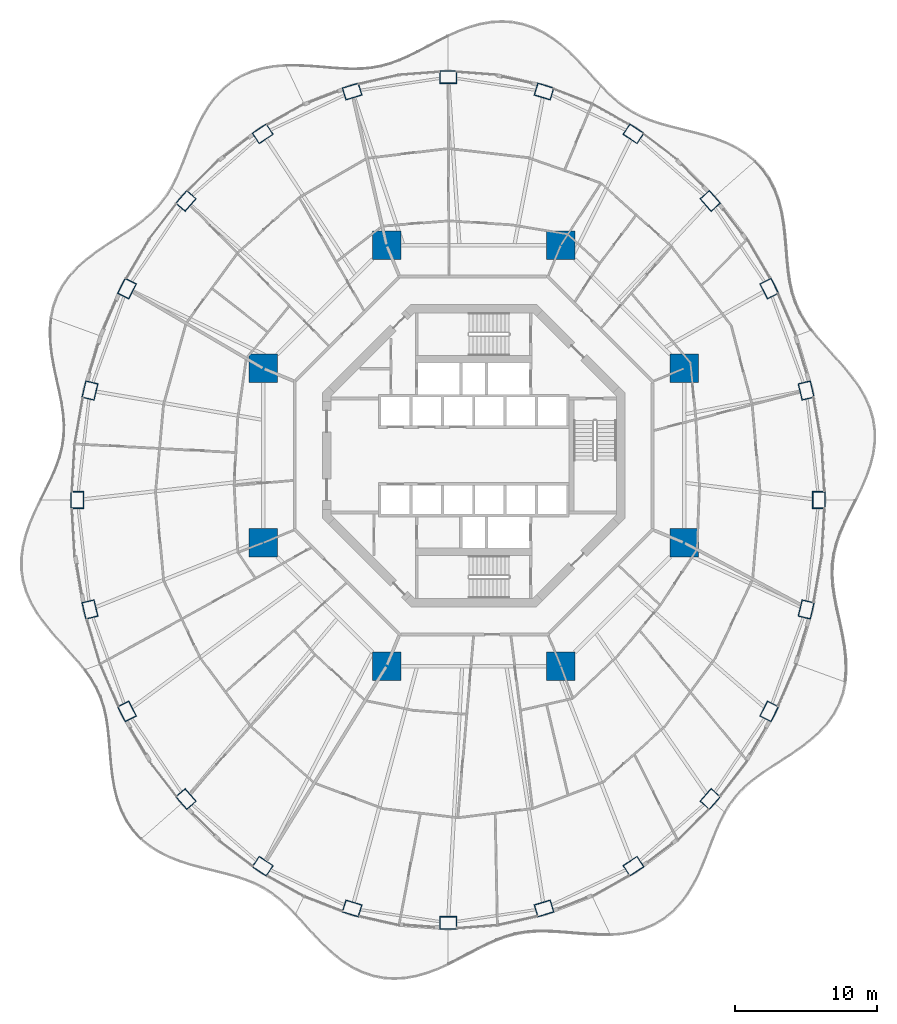
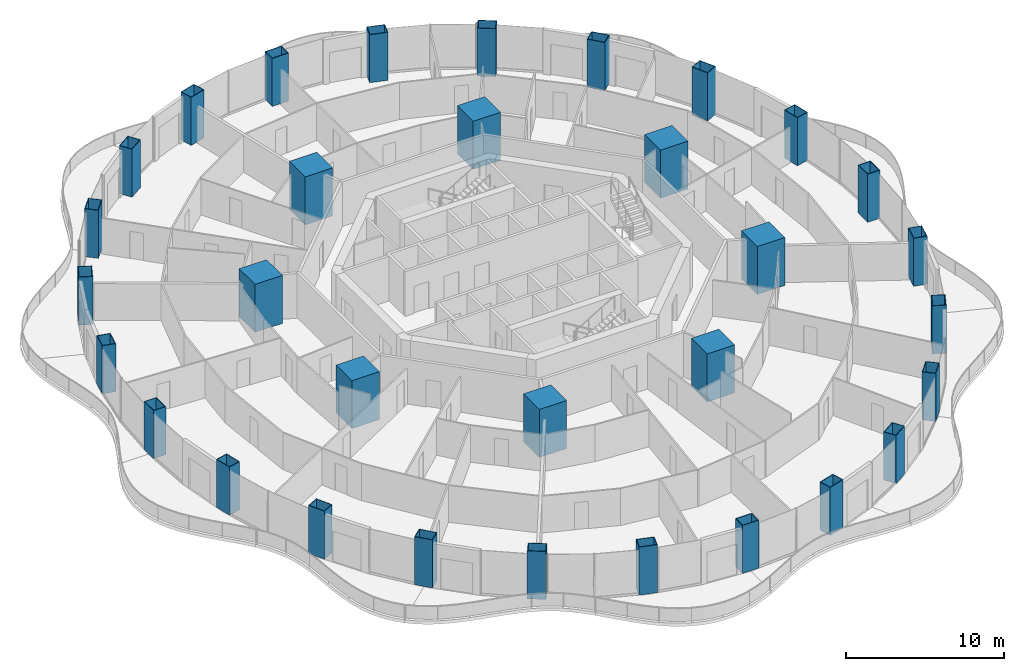
# One storey, part 1 of 20: 32 columns.
"""IFC4 building model written with IfcOpenShell, lengths in metres."""

import ifcopenshell
import ifcopenshell.guid

model = None  # the IFC model being written
_history = None  # IfcOwnerHistory: only IFC2X3 demands one
_inside = {}  # id of a spatial element -> (the spatial element, [elements in it])
_under = {}  # id of a project, library or spatial element -> (it, [spatial elements below it])
_declared = {}  # id of a project -> (the project, [libraries it declares])
_typed = {}  # id of a type object -> (the type object, [elements of that type])
_made_of = {}  # id of a material, layer set ... -> (it, [elements and type objects made of it])


def new_model(schema):
    """Start an empty IFC model of exactly this schema.

    Asked for "IFC4X3", IfcOpenShell would pick the latest addendum, in which some entities
    have other attributes; the version numbers below select the first issue.
    IFC2X3 requires an IfcOwnerHistory on every rooted entity: one is made here for all.
    """
    global model, _history
    if schema == "IFC4X3":
        model = ifcopenshell.file(schema_version=(4, 3, 0, 0))
    else:
        model = ifcopenshell.file(schema=schema)
    _inside.clear()
    _under.clear()
    _declared.clear()
    _typed.clear()
    _made_of.clear()
    _history = None
    if model.schema == "IFC2X3":
        org = make("IfcOrganization", Name="unknown")
        user = make(
            "IfcPersonAndOrganization",
            ThePerson=make("IfcPerson", FamilyName="unknown"),
            TheOrganization=org,
        )
        app = make(
            "IfcApplication",
            ApplicationDeveloper=org,
            Version="unknown",
            ApplicationFullName="unknown",
            ApplicationIdentifier="unknown",
        )
        _history = make(
            "IfcOwnerHistory",
            OwningUser=user,
            OwningApplication=app,
            ChangeAction="ADDED",
            CreationDate=0,
        )
    return model


def make(cls, **values):
    """One entity of the class cls with the attributes given. An attribute that is None is left unset."""
    return model.create_entity(
        cls, **{name: value for name, value in values.items() if value is not None}
    )


def rooted(cls, **values):
    """An entity with a GlobalId (a new one), such as an element, a storey or a relation."""
    return make(cls, GlobalId=ifcopenshell.guid.new(), OwnerHistory=_history, **values)


def si_unit(unit_type, name, prefix=None):
    """IfcSIUnit, for example si_unit("LENGTHUNIT", "METRE", prefix="MILLI")."""
    return make("IfcSIUnit", UnitType=unit_type, Prefix=prefix, Name=name)


def assignment(units):
    """IfcUnitAssignment: the units of a project."""
    return None if units is None else make("IfcUnitAssignment", Units=units)


def point(xyz):
    """IfcCartesianPoint."""
    return None if xyz is None else make("IfcCartesianPoint", Coordinates=xyz)


def direction(xyz):
    """IfcDirection."""
    return None if xyz is None else make("IfcDirection", DirectionRatios=xyz)


def frame(location, z_axis=None, x_axis=None):
    """IfcAxis2Placement3D, a coordinate frame: its origin and axes. An axis left out is left unset."""
    return make(
        "IfcAxis2Placement3D",
        Location=point(location),
        Axis=direction(z_axis),
        RefDirection=direction(x_axis),
    )


def frame_2d(location, x_axis=None):
    """IfcAxis2Placement2D, a coordinate frame in the plane: its origin and x axis."""
    return make(
        "IfcAxis2Placement2D", Location=point(location), RefDirection=direction(x_axis)
    )


def origin():
    """The frame at (0, 0, 0) with its axes left unset."""
    return frame((0.0, 0.0, 0.0))


def origin_2d():
    """The frame at (0, 0) in the plane with its x axis left unset."""
    return frame_2d((0.0, 0.0))


def place(relative_to, where):
    """IfcLocalPlacement: puts the frame where relative to a parent placement (None: the world)."""
    return make(
        "IfcLocalPlacement", PlacementRelTo=relative_to, RelativePlacement=where
    )


def context(
    kind, dimensions, precision=None, world=None, true_north=None, identifier=None
):
    """IfcGeometricRepresentationContext, for example the 3D "Model" context."""
    return make(
        "IfcGeometricRepresentationContext",
        ContextIdentifier=identifier,
        ContextType=kind,
        CoordinateSpaceDimension=dimensions,
        Precision=precision,
        WorldCoordinateSystem=world,
        TrueNorth=true_north,
    )


def subcontext(parent, identifier, kind, view, scale=None):
    """IfcGeometricRepresentationSubContext, for example "Body" below "Model"."""
    return make(
        "IfcGeometricRepresentationSubContext",
        ContextIdentifier=identifier,
        ContextType=kind,
        ParentContext=parent,
        TargetScale=scale,
        TargetView=view,
    )


def project(units=None, contexts=None):
    """IfcProject with its units and contexts."""
    return rooted(
        "IfcProject",
        Name="project",
        RepresentationContexts=contexts,
        UnitsInContext=assignment(units),
    )


def spatial(cls, under=None, at=None, **own):
    """A site, building, storey or space (cls), placed at a placement, below another one or the project."""
    s = rooted(cls, ObjectPlacement=at, **own)
    if under is not None:
        _under.setdefault(under.id(), (under, []))[1].append(s)
    return s


def profile(cls, at=None, kind="AREA", **sizes):
    """A parametric profile (cls). Its sizes go by their IFC names, for example OverallWidth=200.0."""
    return make(cls, ProfileType=kind, Position=at, **sizes)


def rectangle(**sizes):
    """IfcRectangleProfileDef."""
    return profile("IfcRectangleProfileDef", **sizes)


def hollow_rectangle(**sizes):
    """IfcRectangleHollowProfileDef."""
    return profile("IfcRectangleHollowProfileDef", **sizes)


def extrude(swept, where, along, depth):
    """IfcExtrudedAreaSolid: the profile swept, set in the frame where, extruded along a direction by depth."""
    return make(
        "IfcExtrudedAreaSolid",
        SweptArea=swept,
        Position=where,
        ExtrudedDirection=direction(along),
        Depth=depth,
    )


def shape(context_of_items, identifier, shape_type, items):
    """IfcShapeRepresentation: the items that make up one representation, for example the "Body"."""
    return make(
        "IfcShapeRepresentation",
        ContextOfItems=context_of_items,
        RepresentationIdentifier=identifier,
        RepresentationType=shape_type,
        Items=items,
    )


def material(Name=None, Category=None):
    """IfcMaterial."""
    return make("IfcMaterial", Name=Name, Category=Category)


def material_profile(
    of_material, cross_section, Name=None, Category=None, Priority=None
):
    """IfcMaterialProfile: a cross section and its material."""
    return make(
        "IfcMaterialProfile",
        Name=Name,
        Material=of_material,
        Profile=cross_section,
        Priority=Priority,
        Category=Category,
    )


def profile_set(profiles, Name=None, composite=None):
    """IfcMaterialProfileSet."""
    return make(
        "IfcMaterialProfileSet",
        Name=Name,
        MaterialProfiles=profiles,
        CompositeProfile=composite,
    )


def made_of(thing, what):
    """Note that an element or type object is made of a material, layer set ...; save() writes the relation."""
    if what is not None:
        _made_of.setdefault(what.id(), (what, []))[1].append(thing)
    return thing


def type_object(cls, material=None, **own):
    """A type object (cls), such as IfcWallType, which elements share."""
    return made_of(rooted(cls, **own), material)


def element(
    cls,
    number,
    at=None,
    inside=None,
    cuts=None,
    type_object=None,
    material=None,
    context=None,
    identifier="Body",
    shape_type=None,
    held_by="IfcProductDefinitionShape",
    body=None,
    shapes=None,
    **own,
):
    """One element of the class cls, such as IfcWall. Its Tag is "e" and its number.

    at: its placement. inside: the storey or other place that contains it. cuts: it is an
    opening in that element (IfcRelVoidsElement). A single representation is given by context,
    identifier, shape_type and body (its items); several are given by shapes. held_by: the class
    of the entity that holds the representations. save() writes the other relations.
    """
    e = rooted(cls, Tag="e%d" % number, ObjectPlacement=at, **own)
    if body is not None:
        shapes = [shape(context, identifier, shape_type, body)]
    if shapes is not None:
        e.Representation = make(held_by, Representations=shapes)
    if inside is not None:
        _inside.setdefault(inside.id(), (inside, []))[1].append(e)
    if cuts is not None:
        rooted(
            "IfcRelVoidsElement", RelatingBuildingElement=cuts, RelatedOpeningElement=e
        )
    if type_object is not None:
        _typed.setdefault(type_object.id(), (type_object, []))[1].append(e)
    return made_of(e, material)


def aggregate(whole, parts):
    """IfcRelAggregates: a whole, such as a stair, and the parts it consists of."""
    return rooted("IfcRelAggregates", RelatingObject=whole, RelatedObjects=parts)


def save(model, path):
    """Write the relations noted so far, then the file.

    IfcRelAggregates (storeys below a building ...), IfcRelContainedInSpatialStructure (elements
    in a storey), IfcRelDefinesByType, IfcRelAssociatesMaterial and IfcRelDeclares: one each for
    every whole, place, type object, material and project.
    """
    for whole, parts in _under.values():
        aggregate(whole, parts)
    for where, things in _inside.values():
        rooted(
            "IfcRelContainedInSpatialStructure",
            RelatedElements=things,
            RelatingStructure=where,
        )
    for kind, things in _typed.values():
        rooted("IfcRelDefinesByType", RelatedObjects=things, RelatingType=kind)
    for what, things in _made_of.values():
        rooted("IfcRelAssociatesMaterial", RelatedObjects=things, RelatingMaterial=what)
    for by, libraries in _declared.values():
        rooted("IfcRelDeclares", RelatingContext=by, RelatedDefinitions=libraries)
    model.write(path)


model = new_model("IFC4")

# Units and contexts
model_context = context("Model", 3, precision=1e-05, world=origin(), true_north=direction((0.0, 1.0)))
body_context = subcontext(model_context, "Body", "Model", "MODEL_VIEW")
ifc_project = project(units=[si_unit("LENGTHUNIT", "METRE"), si_unit("AREAUNIT", "SQUARE_METRE"), si_unit("VOLUMEUNIT", "CUBIC_METRE"), si_unit("PLANEANGLEUNIT", "RADIAN"), si_unit("MASSUNIT", "GRAM", prefix="KILO")], contexts=[model_context])

# Site, building, storey
site_placement = place(None, origin())
site = spatial("IfcSite", under=ifc_project, at=site_placement, CompositionType="ELEMENT")
building_placement = place(site_placement, origin())
building = spatial("IfcBuilding", under=site, at=building_placement, Name="Nagisa Residences", CompositionType="ELEMENT")
storey_placement = place(building_placement, frame((0.0, 0.0, 141.800048828125)))
storey = spatial("IfcBuildingStorey", under=building, at=storey_placement, Name="L35", CompositionType="ELEMENT", Elevation=141.800048828125)

# Columns
ifc_material_1 = material(Name="Concrete C80", Category="concrete")
ifc_material_profile_1 = material_profile(ifc_material_1, rectangle(XDim=2.0, YDim=2.0, at=origin_2d()), Name="C80 2000x2000")
ifc_profile_set_1 = profile_set([ifc_material_profile_1], Name="Concrete C80")
column_type_1 = type_object("IfcColumnType", Name="Inner megacolumn C80 2000x2000", PredefinedType="COLUMN", material=ifc_profile_set_1)
for number, where, z_axis, x_axis, name in (
    (1, (14.781982421875, 6.123046875, 0.0), (0.0, 0.0, 1.0), (1.0, 0.0, 0.0), "col:L35:i1"),
    (2, (6.123046875, 14.781982421875, 0.0), (0.0, 0.0, 1.0), (1.0, 0.0, 0.0), "col:L35:i2"),
    (3, (-6.123046875, 14.781982421875, 0.0), (0.0, 0.0, 1.0), (1.0, 0.0, 0.0), "col:L35:i3"),
    (4, (-14.781982421875, 6.123046875, 0.0), (0.0, 0.0, 1.0), (1.0, 0.0, 0.0), "col:L35:i4"),
    (5, (-14.781982421875, -6.123046875, 0.0), (0.0, 0.0, 1.0), (1.0, 0.0, 0.0), "col:L35:i5"),
    (6, (-6.123046875, -14.781982421875, 0.0), (0.0, 0.0, 1.0), (1.0, 0.0, 0.0), "col:L35:i6"),
    (7, (6.123046875, -14.781982421875, 0.0), (0.0, 0.0, 1.0), (1.0, 0.0, 0.0), "col:L35:i7"),
    (8, (14.781982421875, -6.123046875, 0.0), (0.0, 0.0, 1.0), (1.0, 0.0, 0.0), "col:L35:i8"),
):
    element("IfcColumn", number, at=place(storey_placement, frame(where, z_axis=z_axis, x_axis=x_axis)), inside=storey, type_object=column_type_1, Name=name, PredefinedType="COLUMN", context=body_context, shape_type="SweptSolid", body=[
        extrude(rectangle(XDim=2.0, YDim=2.0, at=origin_2d()), origin(), (0.0, 0.0, 1.0), 3.699951171875),
    ])
ifc_material_2 = material(Name="Steel ASTM A572 Gr 50", Category="steel")
ifc_material_profile_2 = material_profile(ifc_material_2, hollow_rectangle(XDim=1.199951171875, YDim=0.89990234375, WallThickness=0.0400390625, at=origin_2d()), Name="BX 1200x900x40")
ifc_profile_set_2 = profile_set([ifc_material_profile_2], Name="Steel ASTM A572 Gr 50")
column_type_2 = type_object("IfcColumnType", Name="Perimeter column BX 1200x900x40", PredefinedType="COLUMN", material=ifc_profile_set_2)
for number, where, z_axis, x_axis, name in (
    (9, (24.235107421875, -3.11767578125, 0.0), (0.0, 0.0, 1.0), (0.0, 1.0, 0.0), "col:L35:p00"),
    (10, (23.347900390625, 4.56787109375, 0.0), (0.0, 0.0, 1.0), (-0.229202013103, 0.973378876486, 0.0), "col:L35:p01"),
    (11, (20.7470703125, 11.729736328125, 0.0), (0.0, 0.0, 1.0), (-0.452462697578, 0.891783329795, 0.0), "col:L35:p02"),
    (12, (16.609619140625, 17.8798828125, 0.0), (0.0, 0.0, 1.0), (-0.660114607735, 0.751164898445, 0.0), "col:L35:p03"),
    (13, (11.217529296875, 22.598876953125, 0.0), (0.0, 0.0, 1.0), (-0.835766105673, 0.54908561865, 0.0), "col:L35:p04"),
    (14, (4.938232421875, 25.5654296875, 0.0), (0.0, 0.0, 1.0), (-0.956524583408, 0.291651712384, 0.0), "col:L35:p05"),
    (15, (-1.800048828125, 26.577392578125, 0.0), (0.0, 0.0, 1.0), (-1.0, 0.0, 0.0), "col:L35:p06"),
    (16, (-8.538330078125, 25.5654296875, 0.0), (0.0, 0.0, 1.0), (-0.956524583408, -0.291651712384, 0.0), "col:L35:p07"),
    (17, (-14.8173828125, 22.598876953125, 0.0), (0.0, 0.0, 1.0), (-0.835766105673, -0.54908561865, 0.0), "col:L35:p08"),
    (18, (-20.20947265625, 17.8798828125, 0.0), (0.0, 0.0, 1.0), (-0.660114607735, -0.751164898445, 0.0), "col:L35:p09"),
    (19, (-24.346923828125, 11.729736328125, 0.0), (0.0, 0.0, 1.0), (-0.452462697578, -0.891783329795, 0.0), "col:L35:p10"),
    (20, (-26.947998046875, 4.56787109375, 0.0), (0.0, 0.0, 1.0), (-0.229202013103, -0.973378876486, 0.0), "col:L35:p11"),
    (21, (-27.8349609375, -3.11767578125, 0.0), (0.0, 0.0, 1.0), (0.0, -1.0, 0.0), "col:L35:p12"),
    (22, (-26.947998046875, -10.80322265625, 0.0), (0.0, 0.0, 1.0), (0.229202013103, -0.973378876486, 0.0), "col:L35:p13"),
    (23, (-24.346923828125, -17.965087890625, 0.0), (0.0, 0.0, 1.0), (0.452462697578, -0.891783329795, 0.0), "col:L35:p14"),
    (24, (-20.20947265625, -24.115234375, 0.0), (0.0, 0.0, 1.0), (0.660114607735, -0.751164898445, 0.0), "col:L35:p15"),
    (25, (-14.8173828125, -28.834228515625, 0.0), (0.0, 0.0, 1.0), (0.835766105673, -0.54908561865, 0.0), "col:L35:p16"),
    (26, (-8.538330078125, -31.80078125, 0.0), (0.0, 0.0, 1.0), (0.956524583408, -0.291651712384, 0.0), "col:L35:p17"),
    (27, (-1.800048828125, -32.812744140625, 0.0), (0.0, 0.0, 1.0), (1.0, 0.0, 0.0), "col:L35:p18"),
    (28, (4.938232421875, -31.80078125, 0.0), (0.0, 0.0, 1.0), (0.956524583408, 0.291651712384, 0.0), "col:L35:p19"),
    (29, (11.217529296875, -28.834228515625, 0.0), (0.0, 0.0, 1.0), (0.835766105673, 0.54908561865, 0.0), "col:L35:p20"),
    (30, (16.609619140625, -24.115234375, 0.0), (0.0, 0.0, 1.0), (0.660114607735, 0.751164898445, 0.0), "col:L35:p21"),
    (31, (20.7470703125, -17.965087890625, 0.0), (0.0, 0.0, 1.0), (0.452462697578, 0.891783329795, 0.0), "col:L35:p22"),
    (32, (23.347900390625, -10.80322265625, 0.0), (0.0, 0.0, 1.0), (0.229202013103, 0.973378876486, 0.0), "col:L35:p23"),
):
    element("IfcColumn", number, at=place(storey_placement, frame(where, z_axis=z_axis, x_axis=x_axis)), inside=storey, type_object=column_type_2, Name=name, PredefinedType="COLUMN", context=body_context, shape_type="SweptSolid", body=[
        extrude(hollow_rectangle(XDim=1.199951171875, YDim=0.89990234375, WallThickness=0.0400390625, at=origin_2d()), origin(), (0.0, 0.0, 1.0), 3.699951171875),
    ])

save(model, "model.ifc")
